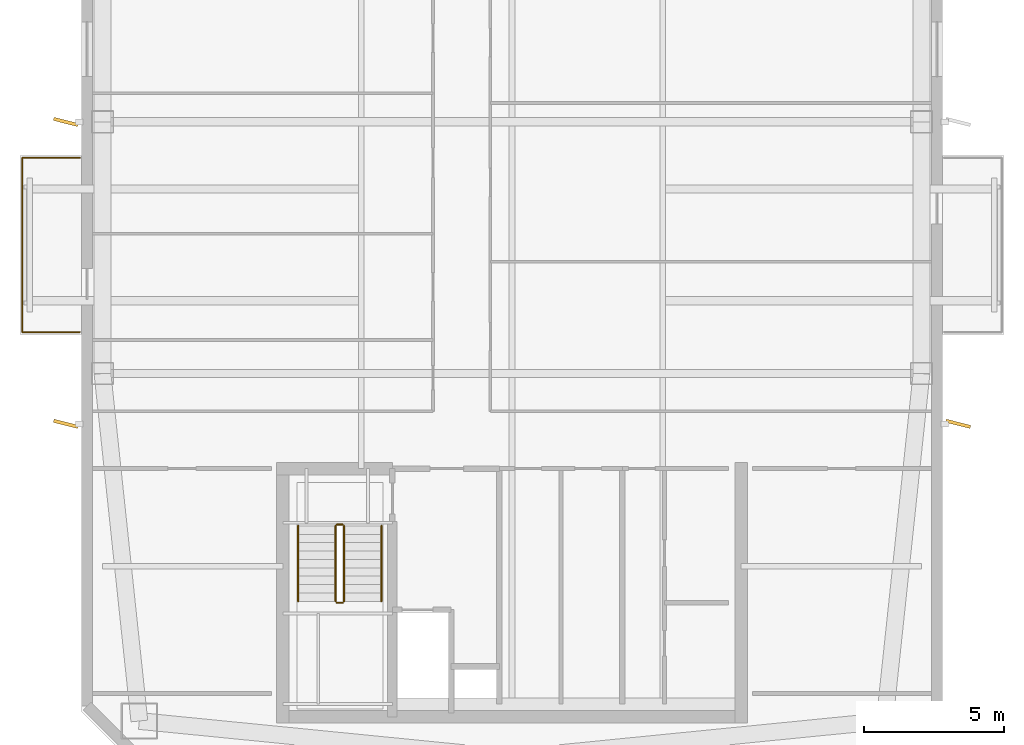
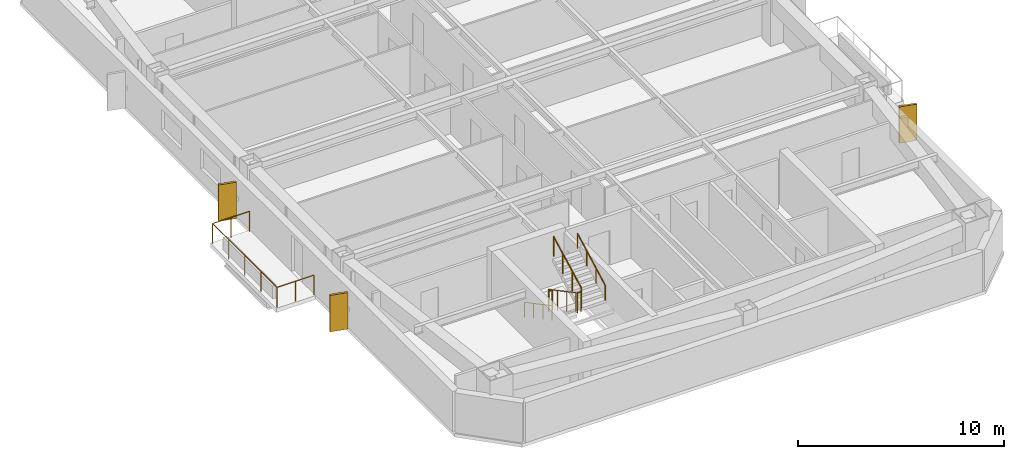
# One storey, part 5 of 7: 7 railings, 3 shading devices.
"""IFC4 building model written with IfcOpenShell, lengths in metres."""

from ifc_helpers import new_model, si_unit, direction, frame, origin, origin_2d, place, context, subcontext, project, spatial, rectangle, circle, extrude, material, layer, layer_set, type_object, element, save


model = new_model("IFC4")

# Units and contexts
model_context = context("Model", 3, precision=1e-05, world=origin(), true_north=direction((0.0, 1.0)))
body_context = subcontext(model_context, "Body", "Model", "MODEL_VIEW")
ifc_project = project(units=[si_unit("LENGTHUNIT", "METRE"), si_unit("AREAUNIT", "SQUARE_METRE"), si_unit("VOLUMEUNIT", "CUBIC_METRE"), si_unit("PLANEANGLEUNIT", "RADIAN"), si_unit("MASSUNIT", "GRAM", prefix="KILO")], contexts=[model_context])

# Site, building, storey
site_placement = place(None, origin())
site = spatial("IfcSite", under=ifc_project, at=site_placement, CompositionType="ELEMENT")
building_placement = place(site_placement, origin())
building = spatial("IfcBuilding", under=site, at=building_placement, Name="Qiaolan Cultural Towers", CompositionType="ELEMENT")
storey_placement = place(building_placement, frame((0.0, 0.0, 256.800048828125)))
storey = spatial("IfcBuildingStorey", under=building, at=storey_placement, Name="L70", CompositionType="ELEMENT", Elevation=256.800048828125)

# Railings
ifc_material_1 = material(Name="Laminated SentryGlas & Stainless Steel S31608 Balustrade", Category="steel")
railing_type_1 = type_object("IfcRailingType", Name="GRD-TERR-1200", PredefinedType="BALUSTRADE", material=ifc_material_1)
railing_1_placement = place(storey_placement, frame((14.550048828125, 26.47998046875, 0.0)))
element("IfcRailing", 1, at=railing_1_placement, inside=storey, type_object=railing_type_1, Name="L70 T1 Tree Balcony Guardrail W", PredefinedType="BALUSTRADE", context=body_context, shape_type="SweptSolid", body=[
    extrude(circle(Radius=0.02392578125, at=origin_2d()), frame((0.0, 0.0, 1.17578125), z_axis=(-1.0, 0.0, 0.0), x_axis=(0.0, -1.0, 0.0)), (0.0, 0.0, 1.0), 2.070068359375),
    extrude(circle(Radius=0.02392578125, at=origin_2d()), frame((-2.070068359375, 0.0, 1.17578125), z_axis=(0.0, 1.0, 0.0), x_axis=(-1.0, 0.0, 0.0)), (0.0, 0.0, 1.0), 6.239990234375),
    extrude(circle(Radius=0.02392578125, at=origin_2d()), frame((-2.070068359375, 6.239990234375, 1.17578125), z_axis=(1.0, 0.0, 0.0), x_axis=(0.0, 1.0, 0.0)), (0.0, 0.0, 1.0), 2.070068359375),
    extrude(circle(Radius=0.02099609375, at=origin_2d()), origin(), (0.0, 0.0, 1.0), 1.15185546875),
    extrude(circle(Radius=0.02099609375, at=origin_2d()), frame((-1.03515625, 0.0, 0.0)), (0.0, 0.0, 1.0), 1.15185546875),
    extrude(circle(Radius=0.02099609375, at=origin_2d()), frame((-2.070068359375, 0.0, 0.0)), (0.0, 0.0, 1.0), 1.15185546875),
    extrude(circle(Radius=0.02099609375, at=origin_2d()), frame((-2.070068359375, 1.56005859375, 0.0)), (0.0, 0.0, 1.0), 1.15185546875),
    extrude(circle(Radius=0.02099609375, at=origin_2d()), frame((-2.070068359375, 3.1201171875, 0.0)), (0.0, 0.0, 1.0), 1.15185546875),
    extrude(circle(Radius=0.02099609375, at=origin_2d()), frame((-2.070068359375, 4.679931640625, 0.0)), (0.0, 0.0, 1.0), 1.15185546875),
    extrude(circle(Radius=0.02099609375, at=origin_2d()), frame((-2.070068359375, 6.239990234375, 0.0)), (0.0, 0.0, 1.0), 1.15185546875),
    extrude(circle(Radius=0.02099609375, at=origin_2d()), frame((-1.03515625, 6.239990234375, 0.0)), (0.0, 0.0, 1.0), 1.15185546875),
    extrude(circle(Radius=0.02099609375, at=origin_2d()), frame((0.0, 6.239990234375, 0.0)), (0.0, 0.0, 1.0), 1.15185546875),
])
ifc_material_2 = material(Name="Galvanized Painted Steel Stair Guardrail", Category="steel")
railing_type_2 = type_object("IfcRailingType", Name="RL-STAIR-GRD", PredefinedType="GUARDRAIL", material=ifc_material_2)
railing_2_placement = place(storey_placement, frame((23.68994140625, 19.550048828125, 0.159912109375)))
element("IfcRailing", 2, at=railing_2_placement, inside=storey, type_object=railing_type_2, Name="L70 ST-W1 stair guard 1", PredefinedType="GUARDRAIL", context=body_context, shape_type="SweptSolid", body=[
    extrude(circle(Radius=0.02392578125, at=origin_2d()), frame((0.0, 0.0, 1.17578125), z_axis=(0.0, -0.882357358376, 0.470579952952), x_axis=(1.0, 0.0, 0.0)), (0.0, 0.0, 1.0), 3.059814453125),
    extrude(circle(Radius=0.02099609375, at=origin_2d()), origin(), (0.0, 0.0, 1.0), 1.15185546875),
    extrude(circle(Radius=0.02099609375, at=origin_2d()), frame((0.0, -0.89990234375, 0.47998046875)), (0.0, 0.0, 1.0), 1.15185546875),
    extrude(circle(Radius=0.02099609375, at=origin_2d()), frame((0.0, -1.800048828125, 0.9599609375)), (0.0, 0.0, 1.0), 1.15185546875),
    extrude(circle(Radius=0.02099609375, at=origin_2d()), frame((0.0, -2.699951171875, 1.43994140625)), (0.0, 0.0, 1.0), 1.15185546875),
])
railing_3_placement = place(storey_placement, frame((23.739990234375, 16.800048828125, 1.599853515625)))
element("IfcRailing", 3, at=railing_3_placement, inside=storey, type_object=railing_type_2, Name="L70 ST-W1 stair guard 2", PredefinedType="GUARDRAIL", context=body_context, shape_type="SweptSolid", body=[
    extrude(circle(Radius=0.02392578125, at=origin_2d()), frame((0.0, 0.0, 1.17578125), z_axis=(1.0, 0.0, 0.0), x_axis=(0.0, 1.0, 0.0)), (0.0, 0.0, 1.0), 0.199951171875),
    extrude(circle(Radius=0.02099609375, at=origin_2d()), origin(), (0.0, 0.0, 1.0), 1.15185546875),
    extrude(circle(Radius=0.02099609375, at=origin_2d()), frame((0.199951171875, 0.0, 0.0)), (0.0, 0.0, 1.0), 1.15185546875),
])
railing_4_placement = place(storey_placement, frame((23.989990234375, 16.85009765625, 1.760009765625)))
element("IfcRailing", 4, at=railing_4_placement, inside=storey, type_object=railing_type_2, Name="L70 ST-W1 stair guard 3", PredefinedType="GUARDRAIL", context=body_context, shape_type="SweptSolid", body=[
    extrude(circle(Radius=0.02392578125, at=origin_2d()), frame((0.0, 0.0, 1.17578125), z_axis=(0.0, 0.882357358376, 0.470579952952), x_axis=(-1.0, 0.0, 0.0)), (0.0, 0.0, 1.0), 3.059814453125),
    extrude(circle(Radius=0.02099609375, at=origin_2d()), origin(), (0.0, 0.0, 1.0), 1.15185546875),
    extrude(circle(Radius=0.02099609375, at=origin_2d()), frame((0.0, 0.89990234375, 0.47998046875)), (0.0, 0.0, 1.0), 1.15185546875),
    extrude(circle(Radius=0.02099609375, at=origin_2d()), frame((0.0, 1.800048828125, 0.9599609375)), (0.0, 0.0, 1.0), 1.15185546875),
    extrude(circle(Radius=0.02099609375, at=origin_2d()), frame((0.0, 2.699951171875, 1.43994140625)), (0.0, 0.0, 1.0), 1.15185546875),
])
railing_5_placement = place(storey_placement, frame((23.739990234375, 19.60009765625, 0.0)))
element("IfcRailing", 5, at=railing_5_placement, inside=storey, type_object=railing_type_2, Name="L70 ST-W1 stair guard 4", PredefinedType="GUARDRAIL", context=body_context, shape_type="SweptSolid", body=[
    extrude(circle(Radius=0.02392578125, at=origin_2d()), frame((0.0, 0.0, 1.17578125), z_axis=(1.0, 0.0, 0.0), x_axis=(0.0, 1.0, 0.0)), (0.0, 0.0, 1.0), 0.199951171875),
    extrude(circle(Radius=0.02099609375, at=origin_2d()), origin(), (0.0, 0.0, 1.0), 1.15185546875),
    extrude(circle(Radius=0.02099609375, at=origin_2d()), frame((0.199951171875, 0.0, 0.0)), (0.0, 0.0, 1.0), 1.15185546875),
])
ifc_material_3 = material(Name="Stainless Steel S30408 Tubular Handrail", Category="steel")
railing_type_3 = type_object("IfcRailingType", Name="RL-STAIR-HR", PredefinedType="HANDRAIL", material=ifc_material_3)
railing_6_placement = place(storey_placement, frame((22.35009765625, 19.550048828125, 0.159912109375)))
element("IfcRailing", 6, at=railing_6_placement, inside=storey, type_object=railing_type_3, Name="L70 ST-W1 stair handrail 1", PredefinedType="HANDRAIL", context=body_context, shape_type="SweptSolid", body=[
    extrude(circle(Radius=0.02392578125, at=origin_2d()), frame((0.0, 0.0, 0.8759765625), z_axis=(0.0, -0.882357358376, 0.470579952952), x_axis=(1.0, 0.0, 0.0)), (0.0, 0.0, 1.0), 3.059814453125),
    extrude(circle(Radius=0.02099609375, at=origin_2d()), origin(), (0.0, 0.0, 1.0), 0.851806640625),
    extrude(circle(Radius=0.02099609375, at=origin_2d()), frame((0.0, -0.89990234375, 0.47998046875)), (0.0, 0.0, 1.0), 0.851806640625),
    extrude(circle(Radius=0.02099609375, at=origin_2d()), frame((0.0, -1.800048828125, 0.9599609375)), (0.0, 0.0, 1.0), 0.851806640625),
    extrude(circle(Radius=0.02099609375, at=origin_2d()), frame((0.0, -2.699951171875, 1.43994140625)), (0.0, 0.0, 1.0), 0.851806640625),
])
railing_7_placement = place(storey_placement, frame((25.330078125, 16.85009765625, 1.760009765625)))
element("IfcRailing", 7, at=railing_7_placement, inside=storey, type_object=railing_type_3, Name="L70 ST-W1 stair handrail 2", PredefinedType="HANDRAIL", context=body_context, shape_type="SweptSolid", body=[
    extrude(circle(Radius=0.02392578125, at=origin_2d()), frame((0.0, 0.0, 0.8759765625), z_axis=(0.0, 0.882357358376, 0.470579952952), x_axis=(-1.0, 0.0, 0.0)), (0.0, 0.0, 1.0), 3.059814453125),
    extrude(circle(Radius=0.02099609375, at=origin_2d()), origin(), (0.0, 0.0, 1.0), 0.851806640625),
    extrude(circle(Radius=0.02099609375, at=origin_2d()), frame((0.0, 0.89990234375, 0.47998046875)), (0.0, 0.0, 1.0), 0.851806640625),
    extrude(circle(Radius=0.02099609375, at=origin_2d()), frame((0.0, 1.800048828125, 0.9599609375)), (0.0, 0.0, 1.0), 0.851806640625),
    extrude(circle(Radius=0.02099609375, at=origin_2d()), frame((0.0, 2.699951171875, 1.43994140625)), (0.0, 0.0, 1.0), 0.851806640625),
])

# Shading devices
ifc_material_4 = material(Name="Light Limestone Precast Vertical Fin", Category="masonry")
ifc_layer = layer(ifc_material_4, 0.1201171875)
ifc_layer_set = layer_set([ifc_layer], Name="Light Limestone Precast Vertical Fin")
shading_device_type = type_object("IfcShadingDeviceType", Name="SHD-FIN-WHITE", PredefinedType="USERDEFINED", material=ifc_layer_set)
for number, where, z_axis, x_axis, name in (
    (8, (14.0400390625, 23.199951171875, 0.10009765625), (0.0, 0.0, 1.0), (0.969891617581, -0.243536958479, 0.0), "L70 T1 Expressive Precast Vertical Fin W1"),
    (9, (14.0400390625, 34.0, 0.10009765625), (0.0, 0.0, 1.0), (0.969891617581, -0.243536958479, 0.0), "L70 T1 Expressive Precast Vertical Fin W2"),
    (10, (45.9599609375, 23.199951171875, 0.10009765625), (0.0, 0.0, 1.0), (0.969891617581, -0.243536958479, 0.0), "L70 T1 Expressive Precast Vertical Fin E1"),
):
    element("IfcShadingDevice", number, at=place(storey_placement, frame(where, z_axis=z_axis, x_axis=x_axis)), inside=storey, type_object=shading_device_type, Name=name, ObjectType="FIN", PredefinedType="USERDEFINED", context=body_context, shape_type="SweptSolid", body=[
        extrude(rectangle(XDim=0.89990234375, YDim=0.1201171875, at=origin_2d()), origin(), (0.0, 0.0, 1.0), 2.159912109375),
    ])

save(model, "model.ifc")
